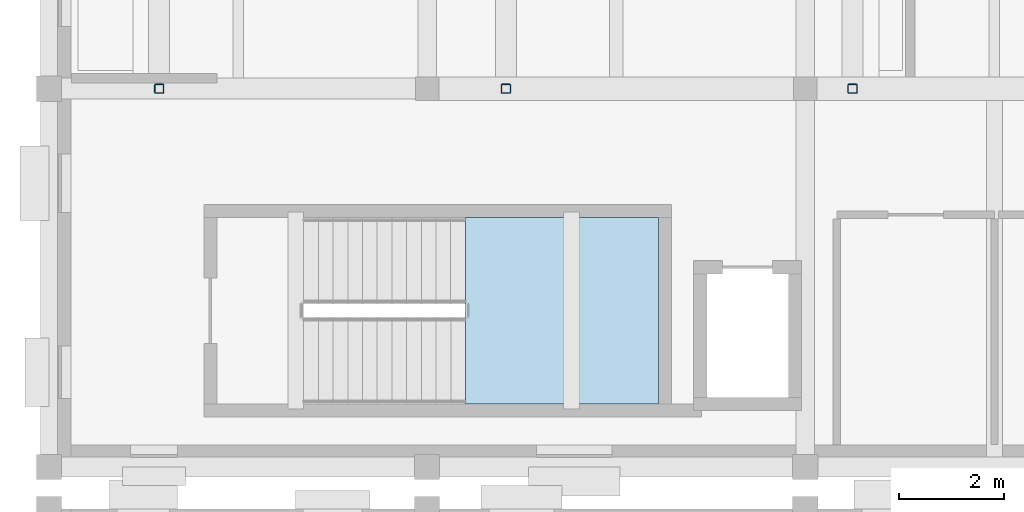
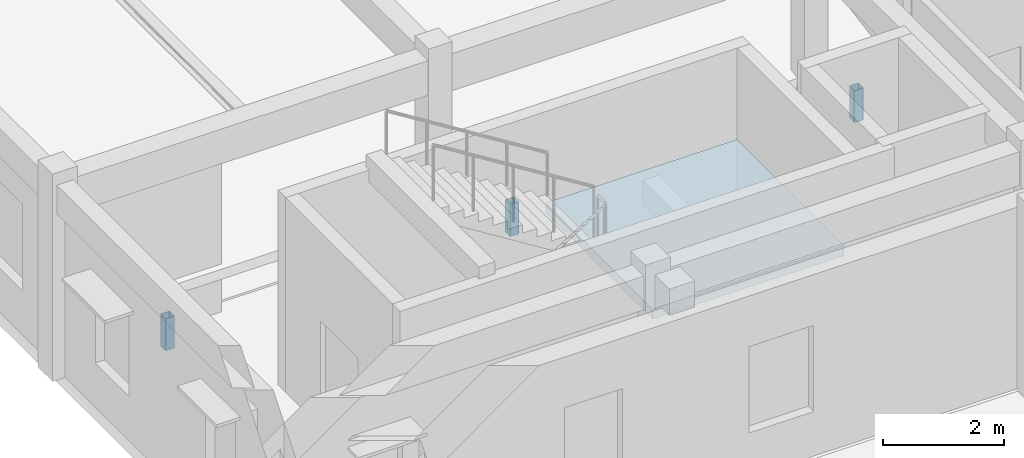
# One storey, part 22 of 49: 3 members, 1 slab, 1 element without a shape of its own.
"""IFC4 building model written with IfcOpenShell, lengths in metres."""

from ifc_helpers import new_model, si_unit, direction, frame, origin, origin_2d, place, context, subcontext, project, spatial, polyline, hollow_rectangle, outline, extrude, material, layer, layer_set, material_profile, profile_set, type_object, element, aggregate, save


model = new_model("IFC4")

# Units and contexts
model_context = context("Model", 3, precision=1e-05, world=origin(), true_north=direction((0.0, 1.0)))
body_context = subcontext(model_context, "Body", "Model", "MODEL_VIEW")
ifc_project = project(units=[si_unit("LENGTHUNIT", "METRE"), si_unit("AREAUNIT", "SQUARE_METRE"), si_unit("VOLUMEUNIT", "CUBIC_METRE"), si_unit("PLANEANGLEUNIT", "RADIAN"), si_unit("MASSUNIT", "GRAM", prefix="KILO")], contexts=[model_context])

# Site, building, storey
site_placement = place(None, origin())
site = spatial("IfcSite", under=ifc_project, at=site_placement, CompositionType="ELEMENT")
building_placement = place(site_placement, origin())
building = spatial("IfcBuilding", under=site, at=building_placement, Name="Bramveld Media Centre", CompositionType="ELEMENT")
storey_placement = place(building_placement, frame((0.0, 0.0, 9.60009765625)))
storey = spatial("IfcBuildingStorey", under=building, at=storey_placement, Name="L02", CompositionType="ELEMENT", Elevation=9.60009765625)

# Members
ifc_material_1 = material(Name="Steel S355J2H", Category="steel")
ifc_material_profile = material_profile(ifc_material_1, hollow_rectangle(XDim=0.179931640625, YDim=0.179931640625, WallThickness=0.010009765625, InnerFilletRadius=0.010009765625, OuterFilletRadius=0.02001953125, at=origin_2d()), Name="SHS 180x180x10")
ifc_profile_set = profile_set([ifc_material_profile], Name="Steel S355J2H")
member_type = type_object("IfcMemberType", Name="MEM-POST-SHS180", PredefinedType="POST", material=ifc_profile_set)
for number, where, z_axis, x_axis, name in (
    (1, (2.10009765625, 46.39990234375, -0.260009765625), (0.0, 0.0, 1.0), (1.0, 0.0, 0.0), "Screen 5 Raked Seating Slab raker frame post LO-1"),
    (2, (8.699951171875, 46.39990234375, -0.260009765625), (0.0, 0.0, 1.0), (1.0, 0.0, 0.0), "Screen 5 Raked Seating Slab raker frame post LO-2"),
    (3, (15.300048828125, 46.39990234375, -0.260009765625), (0.0, 0.0, 1.0), (1.0, 0.0, 0.0), "Screen 5 Raked Seating Slab raker frame post LO-3"),
):
    element("IfcMember", number, at=place(storey_placement, frame(where, z_axis=z_axis, x_axis=x_axis)), inside=storey, type_object=member_type, Name=name, PredefinedType="POST", context=body_context, shape_type="SweptSolid", body=[
        extrude(hollow_rectangle(XDim=0.179931640625, YDim=0.179931640625, WallThickness=0.010009765625, InnerFilletRadius=0.010009765625, OuterFilletRadius=0.02001953125, at=origin_2d()), origin(), (0.0, 0.0, 1.0), 0.64501953125),
    ])

# Stair, slab
ifc_material_2 = material(Name="Concrete C40/50", Category="concrete")
stair_type = type_object("IfcStairType", Name="STAIR-ST-04-24R-1650", PredefinedType="HALF_TURN_STAIR", material=ifc_material_2)
stair_placement = place(storey_placement, origin())
stair = element("IfcStair", 4, at=stair_placement, inside=storey, type_object=stair_type, Name="L02 Repertory Cinema & Rooftop Terrace Stair", PredefinedType="HALF_TURN_STAIR")
ifc_material_3 = material(Name="Concrete C40/50", Category="concrete")
ifc_layer = layer(ifc_material_3, 0.199951171875)
ifc_layer_set = layer_set([ifc_layer], Name="Concrete C40/50")
slab_type = type_object("IfcSlabType", Name="SLAB-STAIR-LAND-200", PredefinedType="LANDING", material=ifc_layer_set)
slab_placement = place(storey_placement, frame((0.0, 0.0, 1.89990234375)))
slab = element("IfcSlab", 5, at=slab_placement, type_object=slab_type, Name="ST-04 landing 1", PredefinedType="LANDING", context=body_context, shape_type="SweptSolid", body=[
    extrude(outline(polyline([(7.929931640625, 40.39990234375), (11.60009765625, 40.39990234375), (11.60009765625, 43.949951171875), (7.929931640625, 43.949951171875), (7.929931640625, 40.39990234375)])), origin(), (0.0, 0.0, 1.0), 0.199951171875),
])
aggregate(stair, [slab])

save(model, "model.ifc")
